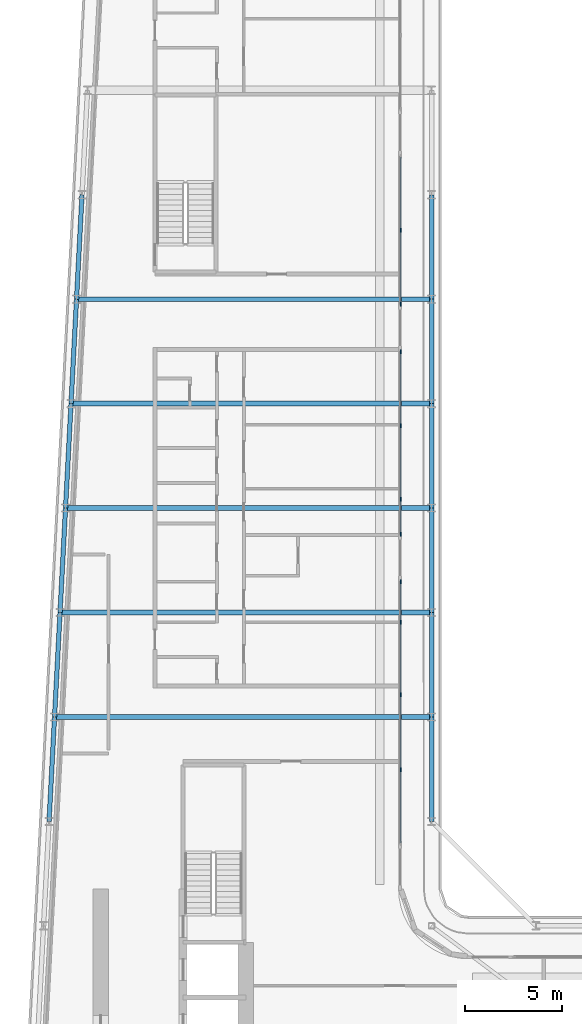
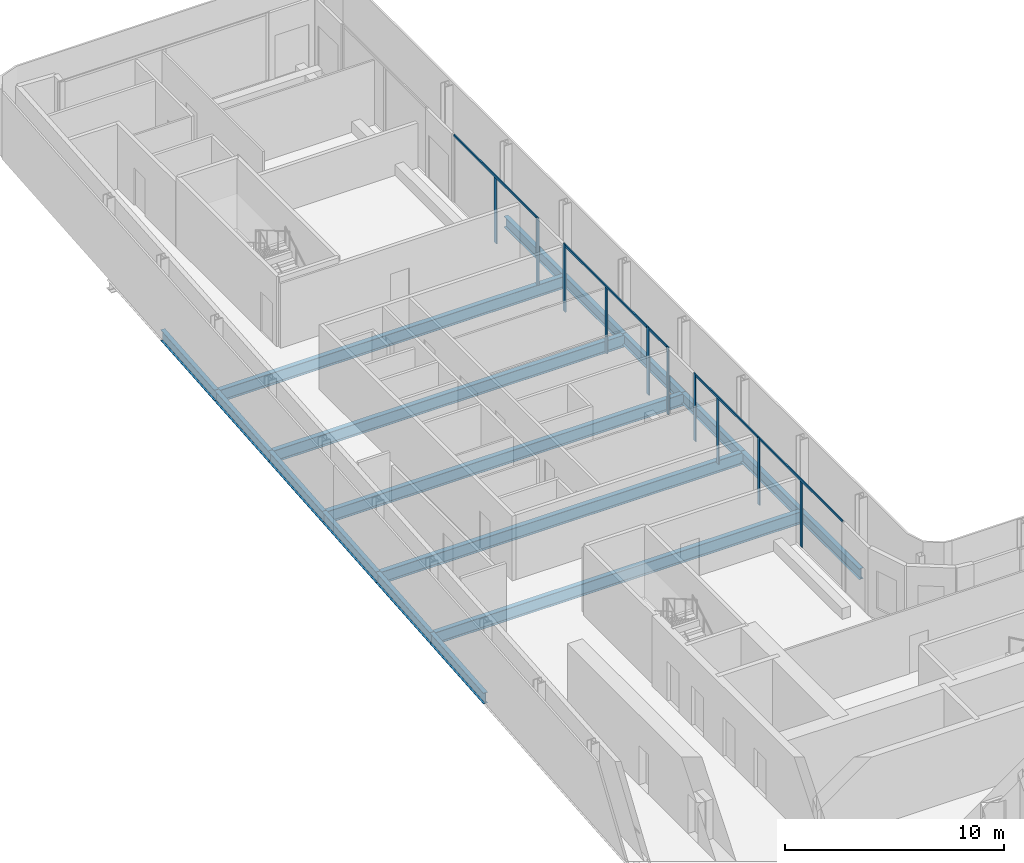
# One storey, part 7 of 24: 17 beams, 15 members, 5 elements without a shape of their own.
"""IFC4 building model written with IfcOpenShell, lengths in metres."""

from ifc_helpers import new_model, si_unit, direction, frame, origin, origin_2d, place, context, subcontext, project, spatial, rectangle, i_section, extrude, material, layer, layer_set, material_profile, profile_set, type_object, element, aggregate, save


model = new_model("IFC4")

# Units and contexts
model_context = context("Model", 3, precision=1e-05, world=origin(), true_north=direction((0.0, 1.0)))
body_context = subcontext(model_context, "Body", "Model", "MODEL_VIEW")
ifc_project = project(units=[si_unit("LENGTHUNIT", "METRE"), si_unit("AREAUNIT", "SQUARE_METRE"), si_unit("VOLUMEUNIT", "CUBIC_METRE"), si_unit("PLANEANGLEUNIT", "RADIAN"), si_unit("MASSUNIT", "GRAM", prefix="KILO")], contexts=[model_context])

# Site, building, storey
site_placement = place(None, origin())
site = spatial("IfcSite", under=ifc_project, at=site_placement, CompositionType="ELEMENT")
building_placement = place(site_placement, origin())
building = spatial("IfcBuilding", under=site, at=building_placement, Name="Kheshtan School and Residences Tower", CompositionType="ELEMENT")
storey_placement = place(building_placement, frame((0.0, 0.0, 160.39990234375)))
storey = spatial("IfcBuildingStorey", under=building, at=storey_placement, Name="L37", CompositionType="ELEMENT", Elevation=160.39990234375)

# Beams
ifc_material_1 = material(Name="Steel ASTM A992 Grade 50", Category="steel")
ifc_material_profile_1 = material_profile(ifc_material_1, i_section(OverallWidth=0.2529296875, OverallDepth=0.677978515625, WebThickness=0.01171875, FlangeThickness=0.016357421875, FilletRadius=0.0146484375, at=origin_2d()), Name="W690x125")
ifc_profile_set_1 = profile_set([ifc_material_profile_1], Name="Steel ASTM A992 Grade 50")
beam_type_1 = type_object("IfcBeamType", Name="Beam FB6 W690x125 ASTM A992 Grade 50", PredefinedType="BEAM", material=ifc_profile_set_1)
beam_1_placement = place(storey_placement, frame((47.60009765625, 78.0, -0.489013671875), z_axis=(-1.0, 0.0, 0.0), x_axis=(0.0, -1.0, 0.0)))
element("IfcBeam", 1, at=beam_1_placement, inside=storey, type_object=beam_type_1, Name="Floor beam C089", PredefinedType="BEAM", context=body_context, shape_type="SweptSolid", body=[
    extrude(i_section(OverallWidth=0.2529296875, OverallDepth=0.677978515625, WebThickness=0.01171875, FlangeThickness=0.016357421875, FilletRadius=0.0146484375, at=origin_2d()), origin(), (0.0, 0.0, 1.0), 18.357177734375),
])
beam_2_placement = place(storey_placement, frame((47.60009765625, 67.199951171875, -0.489013671875), z_axis=(-1.0, 0.0, 0.0), x_axis=(0.0, -1.0, 0.0)))
element("IfcBeam", 2, at=beam_2_placement, inside=storey, type_object=beam_type_1, Name="Floor beam C085", PredefinedType="BEAM", context=body_context, shape_type="SweptSolid", body=[
    extrude(i_section(OverallWidth=0.2529296875, OverallDepth=0.677978515625, WebThickness=0.01171875, FlangeThickness=0.016357421875, FilletRadius=0.0146484375, at=origin_2d()), origin(), (0.0, 0.0, 1.0), 18.926025390625),
])
beam_3_placement = place(storey_placement, frame((47.60009765625, 56.39990234375, -0.489013671875), z_axis=(-1.0, 0.0, 0.0), x_axis=(0.0, -1.0, 0.0)))
element("IfcBeam", 3, at=beam_3_placement, inside=storey, type_object=beam_type_1, Name="Floor beam C081", PredefinedType="BEAM", context=body_context, shape_type="SweptSolid", body=[
    extrude(i_section(OverallWidth=0.2529296875, OverallDepth=0.677978515625, WebThickness=0.01171875, FlangeThickness=0.016357421875, FilletRadius=0.0146484375, at=origin_2d()), origin(), (0.0, 0.0, 1.0), 19.494140625),
])
beam_4_placement = place(storey_placement, frame((28.389892578125, 61.800048828125, -0.489013671875), z_axis=(1.0, 0.0, 0.0), x_axis=(0.0, 1.0, 0.0)))
element("IfcBeam", 4, at=beam_4_placement, inside=storey, type_object=beam_type_1, Name="Floor beam C082", PredefinedType="BEAM", context=body_context, shape_type="SweptSolid", body=[
    extrude(i_section(OverallWidth=0.2529296875, OverallDepth=0.677978515625, WebThickness=0.01171875, FlangeThickness=0.016357421875, FilletRadius=0.0146484375, at=origin_2d()), origin(), (0.0, 0.0, 1.0), 19.210205078125),
])
beam_5_placement = place(storey_placement, frame((28.9580078125, 72.60009765625, -0.489013671875), z_axis=(1.0, 0.0, 0.0), x_axis=(0.0, 1.0, 0.0)))
element("IfcBeam", 5, at=beam_5_placement, inside=storey, type_object=beam_type_1, Name="Floor beam C086", PredefinedType="BEAM", context=body_context, shape_type="SweptSolid", body=[
    extrude(i_section(OverallWidth=0.2529296875, OverallDepth=0.677978515625, WebThickness=0.01171875, FlangeThickness=0.016357421875, FilletRadius=0.0146484375, at=origin_2d()), origin(), (0.0, 0.0, 1.0), 18.64208984375),
])
ifc_material_profile_2 = material_profile(ifc_material_1, i_section(OverallWidth=0.22802734375, OverallDepth=0.60302734375, WebThickness=0.010498046875, FlangeThickness=0.014892578125, FilletRadius=0.013427734375, at=origin_2d()), Name="W610x101")
ifc_profile_set_2 = profile_set([ifc_material_profile_2], Name="Steel ASTM A992 Grade 50")
beam_type_2 = type_object("IfcBeamType", Name="Beam SP2 W610x101 ASTM A992 Grade 50", PredefinedType="BEAM", material=ifc_profile_set_2)
for number, where, z_axis, x_axis, name in (
    (6, (47.60009765625, 83.39990234375, -0.451416015625), (0.0, -1.0, 0.0), (1.0, 0.0, 0.0), "Spandrel beam C091-C089"),
    (7, (47.60009765625, 78.0, -0.451416015625), (0.0, -1.0, 0.0), (1.0, 0.0, 0.0), "Spandrel beam C089-C087"),
):
    element("IfcBeam", number, at=place(storey_placement, frame(where, z_axis=z_axis, x_axis=x_axis)), inside=storey, type_object=beam_type_2, Name=name, PredefinedType="BEAM", context=body_context, shape_type="SweptSolid", body=[
        extrude(i_section(OverallWidth=0.22802734375, OverallDepth=0.60302734375, WebThickness=0.010498046875, FlangeThickness=0.014892578125, FilletRadius=0.013427734375, at=origin_2d()), origin(), (0.0, 0.0, 1.0), 5.39990234375),
    ])
beam_6_placement = place(storey_placement, frame((47.60009765625, 72.60009765625, -0.451416015625), z_axis=(0.0, -1.0, 0.0), x_axis=(1.0, 0.0, 0.0)))
element("IfcBeam", 8, at=beam_6_placement, inside=storey, type_object=beam_type_2, Name="Spandrel beam C087-C085", PredefinedType="BEAM", context=body_context, shape_type="SweptSolid", body=[
    extrude(i_section(OverallWidth=0.22802734375, OverallDepth=0.60302734375, WebThickness=0.010498046875, FlangeThickness=0.014892578125, FilletRadius=0.013427734375, at=origin_2d()), origin(), (0.0, 0.0, 1.0), 5.400146484375),
])
beam_7_placement = place(storey_placement, frame((47.60009765625, 67.199951171875, -0.451416015625), z_axis=(0.0, -1.0, 0.0), x_axis=(1.0, 0.0, 0.0)))
element("IfcBeam", 9, at=beam_7_placement, inside=storey, type_object=beam_type_2, Name="Spandrel beam C085-C083", PredefinedType="BEAM", context=body_context, shape_type="SweptSolid", body=[
    extrude(i_section(OverallWidth=0.22802734375, OverallDepth=0.60302734375, WebThickness=0.010498046875, FlangeThickness=0.014892578125, FilletRadius=0.013427734375, at=origin_2d()), origin(), (0.0, 0.0, 1.0), 5.39990234375),
])
beam_8_placement = place(storey_placement, frame((47.60009765625, 61.800048828125, -0.451416015625), z_axis=(0.0, -1.0, 0.0), x_axis=(1.0, 0.0, 0.0)))
element("IfcBeam", 10, at=beam_8_placement, inside=storey, type_object=beam_type_2, Name="Spandrel beam C083-C081", PredefinedType="BEAM", context=body_context, shape_type="SweptSolid", body=[
    extrude(i_section(OverallWidth=0.22802734375, OverallDepth=0.60302734375, WebThickness=0.010498046875, FlangeThickness=0.014892578125, FilletRadius=0.013427734375, at=origin_2d()), origin(), (0.0, 0.0, 1.0), 5.400146484375),
])
beam_9_placement = place(storey_placement, frame((47.60009765625, 56.39990234375, -0.451416015625), z_axis=(0.0, -1.0, 0.0), x_axis=(1.0, 0.0, 0.0)))
element("IfcBeam", 11, at=beam_9_placement, inside=storey, type_object=beam_type_2, Name="Spandrel beam C081-C079", PredefinedType="BEAM", context=body_context, shape_type="SweptSolid", body=[
    extrude(i_section(OverallWidth=0.22802734375, OverallDepth=0.60302734375, WebThickness=0.010498046875, FlangeThickness=0.014892578125, FilletRadius=0.013427734375, at=origin_2d()), origin(), (0.0, 0.0, 1.0), 5.39990234375),
])
beam_10_placement = place(storey_placement, frame((27.822021484375, 51.0, -0.451416015625), z_axis=(0.05250906864, 0.998620447272, 0.0), x_axis=(-0.998620447272, 0.05250906864, 0.0)))
element("IfcBeam", 12, at=beam_10_placement, inside=storey, type_object=beam_type_2, Name="Spandrel beam C078-C080", PredefinedType="BEAM", context=body_context, shape_type="SweptSolid", body=[
    extrude(i_section(OverallWidth=0.22802734375, OverallDepth=0.60302734375, WebThickness=0.010498046875, FlangeThickness=0.014892578125, FilletRadius=0.013427734375, at=origin_2d()), origin(), (0.0, 0.0, 1.0), 5.407470703125),
])
beam_11_placement = place(storey_placement, frame((28.10595703125, 56.39990234375, -0.451416015625), z_axis=(0.05250670125, 0.998620571751, 0.0), x_axis=(-0.998620571751, 0.05250670125, 0.0)))
element("IfcBeam", 13, at=beam_11_placement, inside=storey, type_object=beam_type_2, Name="Spandrel beam C080-C082", PredefinedType="BEAM", context=body_context, shape_type="SweptSolid", body=[
    extrude(i_section(OverallWidth=0.22802734375, OverallDepth=0.60302734375, WebThickness=0.010498046875, FlangeThickness=0.014892578125, FilletRadius=0.013427734375, at=origin_2d()), origin(), (0.0, 0.0, 1.0), 5.40771484375),
])
beam_12_placement = place(storey_placement, frame((28.389892578125, 61.800048828125, -0.451416015625), z_axis=(0.052554093665, 0.998618078766, 0.0), x_axis=(-0.998618078766, 0.052554093665, 0.0)))
element("IfcBeam", 14, at=beam_12_placement, inside=storey, type_object=beam_type_2, Name="Spandrel beam C082-C084", PredefinedType="BEAM", context=body_context, shape_type="SweptSolid", body=[
    extrude(i_section(OverallWidth=0.22802734375, OverallDepth=0.60302734375, WebThickness=0.010498046875, FlangeThickness=0.014892578125, FilletRadius=0.013427734375, at=origin_2d()), origin(), (0.0, 0.0, 1.0), 5.407470703125),
])
beam_13_placement = place(storey_placement, frame((28.674072265625, 67.199951171875, -0.451416015625), z_axis=(0.05250670125, 0.998620571751, 0.0), x_axis=(-0.998620571751, 0.05250670125, 0.0)))
element("IfcBeam", 15, at=beam_13_placement, inside=storey, type_object=beam_type_2, Name="Spandrel beam C084-C086", PredefinedType="BEAM", context=body_context, shape_type="SweptSolid", body=[
    extrude(i_section(OverallWidth=0.22802734375, OverallDepth=0.60302734375, WebThickness=0.010498046875, FlangeThickness=0.014892578125, FilletRadius=0.013427734375, at=origin_2d()), origin(), (0.0, 0.0, 1.0), 5.40771484375),
])
for number, where, z_axis, x_axis, name in (
    (16, (28.9580078125, 72.60009765625, -0.451416015625), (0.052689166816, 0.998610961136, 0.0), (-0.998610961136, 0.052689166816, 0.0), "Spandrel beam C086-C088"),
    (17, (29.242919921875, 78.0, -0.451416015625), (0.052554093665, 0.998618078766, 0.0), (-0.998618078766, 0.052554093665, 0.0), "Spandrel beam C088-C090"),
):
    element("IfcBeam", number, at=place(storey_placement, frame(where, z_axis=z_axis, x_axis=x_axis)), inside=storey, type_object=beam_type_2, Name=name, PredefinedType="BEAM", context=body_context, shape_type="SweptSolid", body=[
        extrude(i_section(OverallWidth=0.22802734375, OverallDepth=0.60302734375, WebThickness=0.010498046875, FlangeThickness=0.014892578125, FilletRadius=0.013427734375, at=origin_2d()), origin(), (0.0, 0.0, 1.0), 5.407470703125),
    ])

# Curtain wall, members
ifc_material_2 = material(Name="Clear low-e glass in thermally broken aluminium frame", Category="aluminium")
ifc_layer = layer(ifc_material_2, 0.199951171875)
ifc_layer_set = layer_set([ifc_layer], Name="Curtain wall CW-L")
curtain_wall_type = type_object("IfcCurtainWallType", Name="Curtain wall CW-L", PredefinedType="NOTDEFINED", material=ifc_layer_set)
curtain_wall_1_placement = place(storey_placement, origin())
curtain_wall_1 = element("IfcCurtainWall", 18, at=curtain_wall_1_placement, inside=storey, type_object=curtain_wall_type, Name="Curtain wall CWL8", PredefinedType="NOTDEFINED")
ifc_material_3 = material(Name="Thermally broken aluminium, dark bronze anodised", Category="aluminium")
ifc_material_profile_3 = material_profile(ifc_material_3, rectangle(XDim=0.06005859375, YDim=0.199951171875, at=origin_2d()), Name="CW-L mullion 60x200")
ifc_profile_set_3 = profile_set([ifc_material_profile_3], Name="Thermally broken aluminium, dark bronze anodised")
member_type_1 = type_object("IfcMemberType", Name="CW-L mullion 60x200", PredefinedType="MULLION", material=ifc_profile_set_3)
member_1_placement = place(storey_placement, frame((46.0, 81.55908203125, 0.0), z_axis=(0.0, 0.0, 1.0), x_axis=(1.0, 0.0, 0.0)))
member_1 = element("IfcMember", 19, at=member_1_placement, type_object=member_type_1, Name="CWL8 mullion 2", PredefinedType="MULLION", context=body_context, shape_type="SweptSolid", body=[
    extrude(rectangle(XDim=0.06005859375, YDim=0.199951171875, at=origin_2d()), origin(), (0.0, 0.0, 1.0), 3.630126953125),
])
member_2_placement = place(storey_placement, frame((46.0, 77.741943359375, 0.0), z_axis=(0.0, 0.0, 1.0), x_axis=(1.0, 0.0, 0.0)))
member_2 = element("IfcMember", 20, at=member_2_placement, type_object=member_type_1, Name="CWL8 mullion 3", PredefinedType="MULLION", context=body_context, shape_type="SweptSolid", body=[
    extrude(rectangle(XDim=0.06005859375, YDim=0.199951171875, at=origin_2d()), origin(), (0.0, 0.0, 1.0), 3.75),
])

curtain_wall_2_placement = place(storey_placement, origin())
curtain_wall_2 = element("IfcCurtainWall", 21, at=curtain_wall_2_placement, inside=storey, type_object=curtain_wall_type, Name="Curtain wall CWL8", PredefinedType="NOTDEFINED")
member_3_placement = place(storey_placement, frame((46.0, 75.281982421875, 0.0), z_axis=(0.0, 0.0, 1.0), x_axis=(1.0, 0.0, 0.0)))
member_3 = element("IfcMember", 22, at=member_3_placement, type_object=member_type_1, Name="CWL8 mullion 1", PredefinedType="MULLION", context=body_context, shape_type="SweptSolid", body=[
    extrude(rectangle(XDim=0.06005859375, YDim=0.199951171875, at=origin_2d()), origin(), (0.0, 0.0, 1.0), 3.75),
])
member_4_placement = place(storey_placement, frame((46.0, 71.465087890625, 0.0), z_axis=(0.0, 0.0, 1.0), x_axis=(1.0, 0.0, 0.0)))
member_4 = element("IfcMember", 23, at=member_4_placement, type_object=member_type_1, Name="CWL8 mullion 2", PredefinedType="MULLION", context=body_context, shape_type="SweptSolid", body=[
    extrude(rectangle(XDim=0.06005859375, YDim=0.199951171875, at=origin_2d()), origin(), (0.0, 0.0, 1.0), 3.630126953125),
])
member_5_placement = place(storey_placement, frame((46.0, 67.64794921875, 0.0), z_axis=(0.0, 0.0, 1.0), x_axis=(1.0, 0.0, 0.0)))
member_5 = element("IfcMember", 24, at=member_5_placement, type_object=member_type_1, Name="CWL8 mullion 3", PredefinedType="MULLION", context=body_context, shape_type="SweptSolid", body=[
    extrude(rectangle(XDim=0.06005859375, YDim=0.199951171875, at=origin_2d()), origin(), (0.0, 0.0, 1.0), 3.75),
])

# Curtain wall, member
curtain_wall_3_placement = place(storey_placement, origin())
curtain_wall_3 = element("IfcCurtainWall", 25, at=curtain_wall_3_placement, inside=storey, type_object=curtain_wall_type, Name="Curtain wall CWL8e", PredefinedType="NOTDEFINED")
member_6_placement = place(storey_placement, frame((46.0, 65.847900390625, 0.0), z_axis=(0.0, 0.0, 1.0), x_axis=(1.0, 0.0, 0.0)))
member_6 = element("IfcMember", 26, at=member_6_placement, type_object=member_type_1, Name="CWL8e mullion 2", PredefinedType="MULLION", context=body_context, shape_type="SweptSolid", body=[
    extrude(rectangle(XDim=0.06005859375, YDim=0.199951171875, at=origin_2d()), origin(), (0.0, 0.0, 1.0), 3.75),
])

# Curtain wall, members
curtain_wall_4_placement = place(storey_placement, origin())
curtain_wall_4 = element("IfcCurtainWall", 27, at=curtain_wall_4_placement, inside=storey, type_object=curtain_wall_type, Name="Curtain wall CWL8m", PredefinedType="NOTDEFINED")
member_7_placement = place(storey_placement, frame((46.0, 63.387939453125, 0.0), z_axis=(0.0, 0.0, 1.0), x_axis=(1.0, 0.0, 0.0)))
member_7 = element("IfcMember", 28, at=member_7_placement, type_object=member_type_1, Name="CWL8m mullion 1", PredefinedType="MULLION", context=body_context, shape_type="SweptSolid", body=[
    extrude(rectangle(XDim=0.06005859375, YDim=0.199951171875, at=origin_2d()), origin(), (0.0, 0.0, 1.0), 3.75),
])
member_8_placement = place(storey_placement, frame((46.0, 61.300048828125, 0.0), z_axis=(0.0, 0.0, 1.0), x_axis=(1.0, 0.0, 0.0)))
member_8 = element("IfcMember", 29, at=member_8_placement, type_object=member_type_1, Name="CWL8m mullion 2", PredefinedType="MULLION", context=body_context, shape_type="SweptSolid", body=[
    extrude(rectangle(XDim=0.06005859375, YDim=0.199951171875, at=origin_2d()), origin(), (0.0, 0.0, 1.0), 3.630126953125),
])
member_9_placement = place(storey_placement, frame((46.0, 57.553955078125, 0.0), z_axis=(0.0, 0.0, 1.0), x_axis=(1.0, 0.0, 0.0)))
member_9 = element("IfcMember", 30, at=member_9_placement, type_object=member_type_1, Name="CWL8m mullion 3", PredefinedType="MULLION", context=body_context, shape_type="SweptSolid", body=[
    extrude(rectangle(XDim=0.06005859375, YDim=0.199951171875, at=origin_2d()), origin(), (0.0, 0.0, 1.0), 3.75),
])

# Curtain wall, member
curtain_wall_5_placement = place(storey_placement, origin())
curtain_wall_5 = element("IfcCurtainWall", 31, at=curtain_wall_5_placement, inside=storey, type_object=curtain_wall_type, Name="Curtain wall CWL8", PredefinedType="NOTDEFINED")
member_10_placement = place(storey_placement, frame((46.0, 53.677001953125, 0.0), z_axis=(0.0, 0.0, 1.0), x_axis=(1.0, 0.0, 0.0)))
member_10 = element("IfcMember", 32, at=member_10_placement, type_object=member_type_1, Name="CWL8 mullion 2", PredefinedType="MULLION", context=body_context, shape_type="SweptSolid", body=[
    extrude(rectangle(XDim=0.06005859375, YDim=0.199951171875, at=origin_2d()), origin(), (0.0, 0.0, 1.0), 3.630126953125),
])

# Member
ifc_material_profile_4 = material_profile(ifc_material_3, rectangle(XDim=0.06005859375, YDim=0.1201171875, at=origin_2d()), Name="CW-L transom 60x120")
ifc_profile_set_4 = profile_set([ifc_material_profile_4], Name="Thermally broken aluminium, dark bronze anodised")
member_type_2 = type_object("IfcMemberType", Name="CW-L transom 60x120", PredefinedType="USERDEFINED", material=ifc_profile_set_4)
member_11_placement = place(storey_placement, frame((46.0, 85.345947265625, 3.690185546875), z_axis=(0.0, -1.0, 0.0), x_axis=(1.0, 0.0, 0.0)))
member_11 = element("IfcMember", 33, at=member_11_placement, type_object=member_type_2, Name="CWL8 transom 1", ObjectType="TRANSOM", PredefinedType="USERDEFINED", context=body_context, shape_type="SweptSolid", body=[
    extrude(rectangle(XDim=0.06005859375, YDim=0.1201171875, at=origin_2d()), origin(), (0.0, 0.0, 1.0), 7.573974609375),
])

aggregate(curtain_wall_1, [member_1, member_2, member_11])

member_12_placement = place(storey_placement, frame((46.0, 75.251953125, 3.690185546875), z_axis=(0.0, -1.0, 0.0), x_axis=(1.0, 0.0, 0.0)))
member_12 = element("IfcMember", 34, at=member_12_placement, type_object=member_type_2, Name="CWL8 transom 1", ObjectType="TRANSOM", PredefinedType="USERDEFINED", context=body_context, shape_type="SweptSolid", body=[
    extrude(rectangle(XDim=0.06005859375, YDim=0.1201171875, at=origin_2d()), origin(), (0.0, 0.0, 1.0), 7.573974609375),
])

aggregate(curtain_wall_2, [member_3, member_4, member_5, member_12])

member_13_placement = place(storey_placement, frame((46.0, 67.617919921875, 3.690185546875), z_axis=(0.0, -1.0, 0.0), x_axis=(1.0, 0.0, 0.0)))
member_13 = element("IfcMember", 35, at=member_13_placement, type_object=member_type_2, Name="CWL8e transom 1", ObjectType="TRANSOM", PredefinedType="USERDEFINED", context=body_context, shape_type="SweptSolid", body=[
    extrude(rectangle(XDim=0.06005859375, YDim=0.1201171875, at=origin_2d()), origin(), (0.0, 0.0, 1.0), 1.739990234375),
])

aggregate(curtain_wall_3, [member_6, member_13])

member_14_placement = place(storey_placement, frame((46.0, 63.35791015625, 3.690185546875), z_axis=(0.0, -1.0, 0.0), x_axis=(1.0, 0.0, 0.0)))
member_14 = element("IfcMember", 36, at=member_14_placement, type_object=member_type_2, Name="CWL8m transom 1", ObjectType="TRANSOM", PredefinedType="USERDEFINED", context=body_context, shape_type="SweptSolid", body=[
    extrude(rectangle(XDim=0.06005859375, YDim=0.1201171875, at=origin_2d()), origin(), (0.0, 0.0, 1.0), 5.77392578125),
])

aggregate(curtain_wall_4, [member_7, member_8, member_9, member_14])

member_15_placement = place(storey_placement, frame((46.0, 57.52392578125, 3.690185546875), z_axis=(0.0, -1.0, 0.0), x_axis=(1.0, 0.0, 0.0)))
member_15 = element("IfcMember", 37, at=member_15_placement, type_object=member_type_2, Name="CWL8 transom 1", ObjectType="TRANSOM", PredefinedType="USERDEFINED", context=body_context, shape_type="SweptSolid", body=[
    extrude(rectangle(XDim=0.06005859375, YDim=0.1201171875, at=origin_2d()), origin(), (0.0, 0.0, 1.0), 7.634033203125),
])

aggregate(curtain_wall_5, [member_10, member_15])

save(model, "model.ifc")
